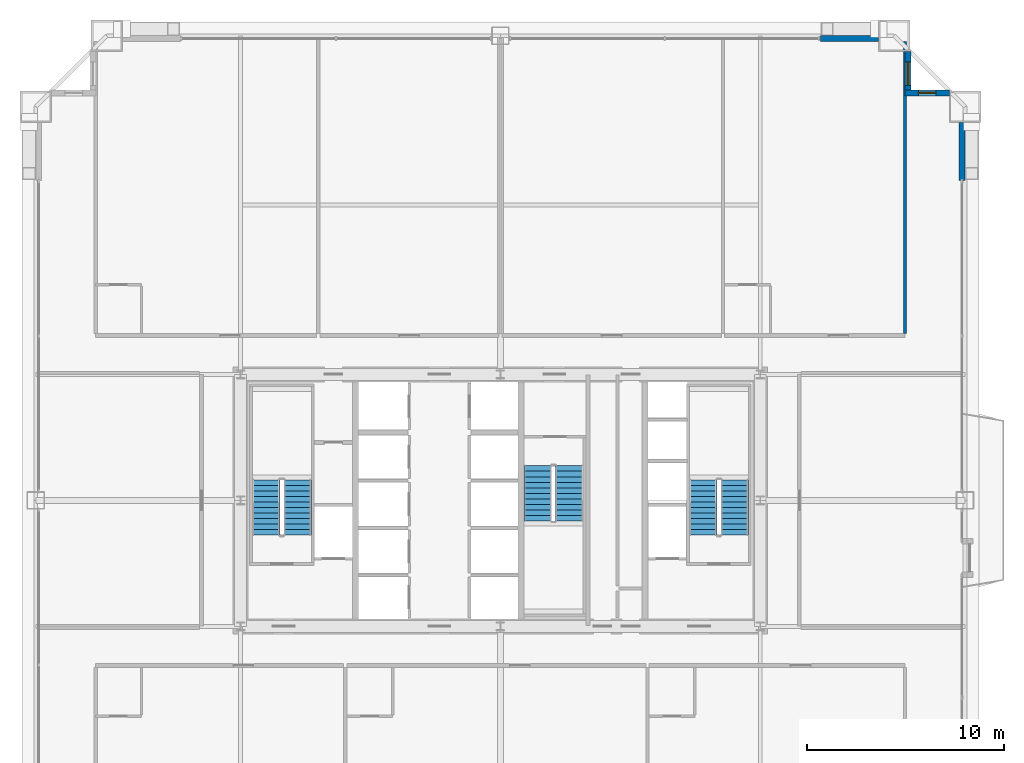
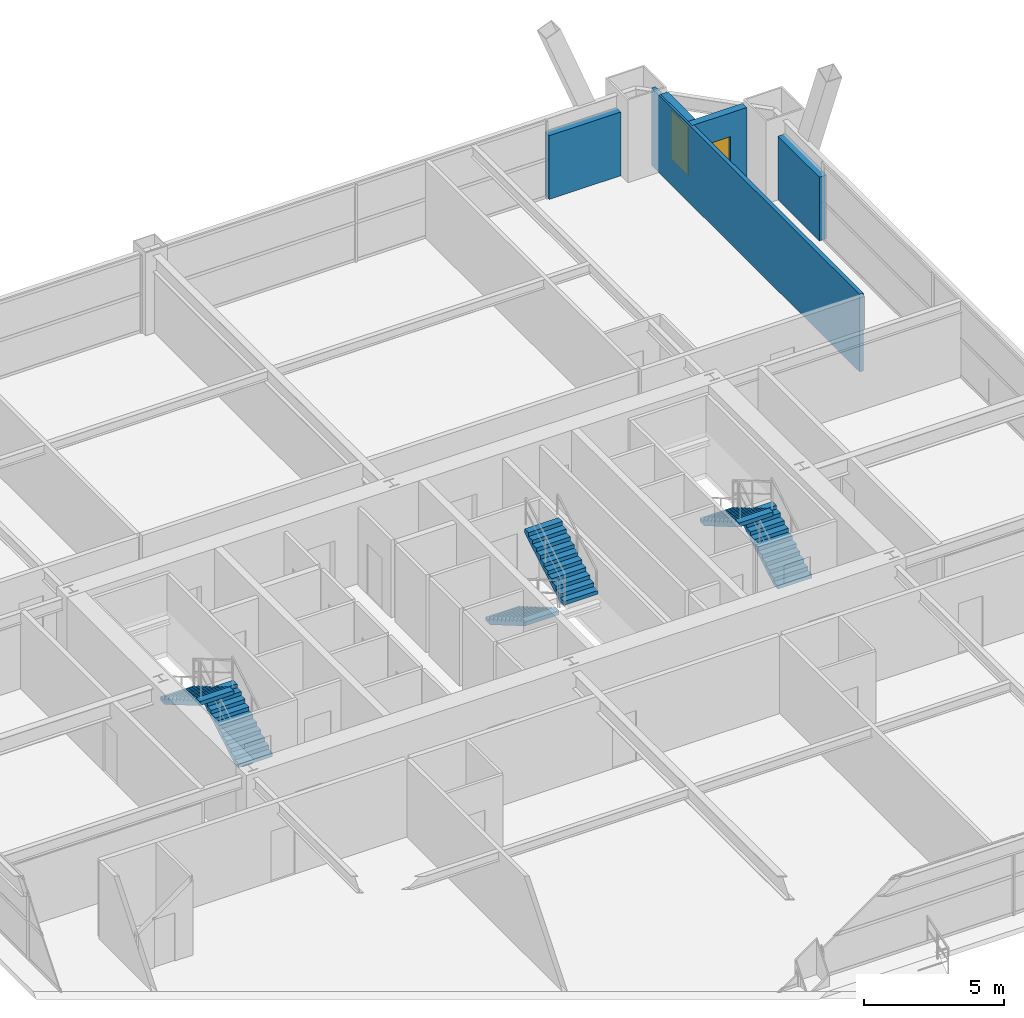
# One storey, part 42 of 43: 6 stair flights, 5 walls, 2 windows, 2 openings, 3 elements without a shape of their own.
"""IFC4 building model written with IfcOpenShell, lengths in metres."""

from ifc_helpers import new_model, si_unit, direction, frame, frame_2d, origin, place, context, subcontext, project, spatial, polyline, rectangle, outline, extrude, source, transform, mapped, material, layer, layer_set, type_object, element, fill, aggregate, save


model = new_model("IFC4")

# Units and contexts
model_context = context("Model", 3, precision=1e-05, world=origin(), true_north=direction((0.0, 1.0)))
body_context = subcontext(model_context, "Body", "Model", "MODEL_VIEW")
ifc_project = project(units=[si_unit("LENGTHUNIT", "METRE"), si_unit("AREAUNIT", "SQUARE_METRE"), si_unit("VOLUMEUNIT", "CUBIC_METRE"), si_unit("PLANEANGLEUNIT", "RADIAN"), si_unit("MASSUNIT", "GRAM", prefix="KILO"), si_unit("THERMODYNAMICTEMPERATUREUNIT", "KELVIN"), si_unit("POWERUNIT", "WATT")], contexts=[model_context])

# Site, building, storey
site_placement = place(None, origin())
site = spatial("IfcSite", under=ifc_project, at=site_placement, CompositionType="ELEMENT")
building_placement = place(site_placement, origin())
building = spatial("IfcBuilding", under=site, at=building_placement, Name="Yuzanri Waterfront Tower", CompositionType="ELEMENT")
storey_placement = place(building_placement, frame((0.0, 0.0, 101.0)))
storey = spatial("IfcBuildingStorey", under=building, at=storey_placement, Name="L26", CompositionType="ELEMENT", Elevation=101.0)

# Wall, opening, window
ifc_material_1 = material(Name="Honed Chongqing Dark Basalt Stone", Category="masonry")
ifc_layer_1 = layer(ifc_material_1, 0.300048828125)
ifc_layer_set_1 = layer_set([ifc_layer_1], Name="Honed Chongqing Dark Basalt Stone")
wall_type_1 = type_object("IfcWallType", Name="Bronze Rainscreen Insulated Spandrel Portal Wall 300", PredefinedType="SOLIDWALL", material=ifc_layer_set_1)
wall_1_placement = place(storey_placement, frame((59.800048828125, 46.5, 0.0), z_axis=(0.0, 0.0, 1.0), x_axis=(-1.0, 0.0, 0.0)))
wall_1 = element("IfcWall", 1, at=wall_1_placement, inside=storey, type_object=wall_type_1, Name="L26 Notched Corner Masonry Wall NE-X", PredefinedType="SOLIDWALL", context=body_context, shape_type="SweptSolid", body=[
    extrude(rectangle(XDim=2.25, YDim=0.300048828125, at=frame_2d((1.125, 0.0))), origin(), (0.0, 0.0, 1.0), 3.3798828125),
])
opening_1_placement = place(wall_1_placement, frame((0.675048828125, 0.0, 0.85009765625)))
opening_1 = element("IfcOpeningElement", 2, at=opening_1_placement, cuts=wall_1, Name="Opening WN-05", PredefinedType="OPENING", context=body_context, shape_type="SweptSolid", body=[
    extrude(rectangle(XDim=0.89990234375, YDim=1.5, at=frame_2d((0.449951171875, 0.75))), frame((0.0, 0.1650390625, 0.0), z_axis=(0.0, -1.0, 0.0), x_axis=(1.0, 0.0, 0.0)), (0.0, 0.0, 1.0), 0.329833984375),
])
ifc_material_2 = material(Name="Double-Silver Low-E Insulated Glass", Category="glass")
window_type_1 = type_object("IfcWindowType", Name="Anodized Bronze Service and Stairwell Smoke-Vent Window 900x1500", PartitioningType="SINGLE_PANEL", PredefinedType="WINDOW", material=ifc_material_2)
shared_shape_1 = source(origin(), body_context, "Body", "SweptSolid", [
    extrude(rectangle(XDim=0.89990234375, YDim=1.5, at=frame_2d((0.449951171875, 0.75))), frame((0.0, 0.030029296875, 0.0), z_axis=(0.0, -1.0, 0.0), x_axis=(1.0, 0.0, 0.0)), (0.0, 0.0, 1.0), 0.06005859375),
])
window_1_placement = place(opening_1_placement, origin())
window_1 = element("IfcWindow", 3, at=window_1_placement, inside=storey, type_object=window_type_1, Name="L26 Notched Corner Window NE-X", OverallHeight=1.5, OverallWidth=0.89990234375, PartitioningType="SINGLE_PANEL", PredefinedType="WINDOW", context=body_context, shape_type="MappedRepresentation", body=[
    mapped(shared_shape_1, transform((0.0, 0.0, 0.0), scale=1.0)),
])
fill(opening_1, window_1)

wall_2_placement = place(storey_placement, frame((57.699951171875, 46.35009765625, 0.0), z_axis=(0.0, 0.0, 1.0), x_axis=(0.0, 1.0, 0.0)))
wall_2 = element("IfcWall", 4, at=wall_2_placement, inside=storey, type_object=wall_type_1, Name="L26 Notched Corner Masonry Wall NE-Y", PredefinedType="SOLIDWALL", context=body_context, shape_type="SweptSolid", body=[
    extrude(rectangle(XDim=2.25, YDim=0.300048828125, at=frame_2d((1.125, 0.0))), origin(), (0.0, 0.0, 1.0), 3.3798828125),
])
opening_2_placement = place(wall_2_placement, frame((0.52490234375, 0.0, 0.85009765625)))
opening_2 = element("IfcOpeningElement", 5, at=opening_2_placement, cuts=wall_2, Name="Opening WN-02", PredefinedType="OPENING", context=body_context, shape_type="SweptSolid", body=[
    extrude(rectangle(XDim=1.199951171875, YDim=2.10009765625, at=frame_2d((0.60009765625, 1.050048828125))), frame((0.0, 0.1650390625, 0.0), z_axis=(0.0, -1.0, 0.0), x_axis=(1.0, 0.0, 0.0)), (0.0, 0.0, 1.0), 0.329833984375),
])
ifc_material_3 = material(Name="Double-Silver Low-E Insulated Glass", Category="glass")
window_type_2 = type_object("IfcWindowType", Name="Anodized Bronze Notched Corner Deep-Set Slot Window 1200x2100", PartitioningType="SINGLE_PANEL", PredefinedType="WINDOW", material=ifc_material_3)
shared_shape_2 = source(origin(), body_context, "Body", "SweptSolid", [
    extrude(rectangle(XDim=1.199951171875, YDim=2.10009765625, at=frame_2d((0.60009765625, 1.050048828125))), frame((0.0, 0.030029296875, 0.0), z_axis=(0.0, -1.0, 0.0), x_axis=(1.0, 0.0, 0.0)), (0.0, 0.0, 1.0), 0.06005859375),
])
window_2_placement = place(opening_2_placement, origin())
window_2 = element("IfcWindow", 6, at=window_2_placement, inside=storey, type_object=window_type_2, Name="L26 Notched Corner Window NE-Y", OverallHeight=2.10009765625, OverallWidth=1.199951171875, PartitioningType="SINGLE_PANEL", PredefinedType="WINDOW", context=body_context, shape_type="MappedRepresentation", body=[
    mapped(shared_shape_2, transform((0.0, 0.0, 0.0), scale=1.0)),
])
fill(opening_2, window_2)

# Walls
shared_shape_3 = source(origin(), body_context, "Body", "SweptSolid", [
    extrude(rectangle(XDim=2.949951171875, YDim=0.300048828125, at=frame_2d((1.47509765625, 0.0))), origin(), (0.0, 0.0, 1.0), 2.77490234375),
])
for number, where, z_axis, x_axis, name in (
    (7, (53.25, 49.25, 0.0), (0.0, 0.0, 1.0), (1.0, 0.0, 0.0), "L26 N Right Braced Masonry Shoulder"),
    (8, (60.449951171875, 42.050048828125, 0.0), (0.0, 0.0, 1.0), (0.0, 1.0, 0.0), "L26 E Right Braced Masonry Shoulder"),
):
    element("IfcWall", number, at=place(storey_placement, frame(where, z_axis=z_axis, x_axis=x_axis)), inside=storey, type_object=wall_type_1, Name=name, PredefinedType="SOLIDWALL", context=body_context, shape_type="MappedRepresentation", body=[
        mapped(shared_shape_3, transform((0.0, 0.0, 0.0), scale=1.0)),
    ])
ifc_material_4 = material(Name="Gypsum Fireboard Acoustic Stud Wall", Category="gypsum")
ifc_layer_2 = layer(ifc_material_4, 0.159912109375)
ifc_layer_set_2 = layer_set([ifc_layer_2], Name="Gypsum Fireboard Acoustic Stud Wall")
wall_type_2 = type_object("IfcWallType", Name="Acoustic Suite Demising Partition 160", PredefinedType="PARTITIONING", material=ifc_layer_set_2)
shared_shape_4 = source(origin(), body_context, "Body", "SweptSolid", [
    extrude(rectangle(XDim=14.820068359375, YDim=0.159912109375, at=frame_2d((7.41015625, 0.0))), origin(), (0.0, 0.0, 1.0), 3.3798828125),
])
wall_3_placement = place(storey_placement, frame((57.550048828125, 34.280029296875, 0.0), z_axis=(0.0, 0.0, 1.0), x_axis=(0.0, 1.0, 0.0)))
element("IfcWall", 9, at=wall_3_placement, inside=storey, type_object=wall_type_2, Name="L26 North Band East End Wall", PredefinedType="PARTITIONING", context=body_context, shape_type="MappedRepresentation", body=[
    mapped(shared_shape_4, transform((0.0, 0.0, 0.0), scale=1.0)),
])

# Stair, stair flights
ifc_material_5 = material(Name="Concrete C40", Category="concrete")
stair_type = type_object("IfcStairType", Name="Concrete C40 Core Dogleg Exit Stair", PredefinedType="HALF_TURN_STAIR", material=ifc_material_5)
stair_1_placement = place(storey_placement, origin())
stair_1 = element("IfcStair", 10, at=stair_1_placement, inside=storey, type_object=stair_type, Name="L26 Smoke-Proof Core Stair ST-01", PredefinedType="HALF_TURN_STAIR")
ifc_material_6 = material(Name="Concrete C40", Category="concrete")
stair_flight_type = type_object("IfcStairFlightType", Name="Concrete C40 Precast Stair Flight 1380", PredefinedType="STRAIGHT", material=ifc_material_6)
shared_shape_5 = source(origin(), body_context, "Body", "SweptSolid", [
    extrude(outline(polyline([(0.0, 0.0), (0.0, 0.16357421875), (0.280029296875, 0.16357421875), (0.280029296875, 0.327392578125), (0.56005859375, 0.327392578125), (0.56005859375, 0.490966796875), (0.840087890625, 0.490966796875), (0.840087890625, 0.654541015625), (1.1201171875, 0.654541015625), (1.1201171875, 0.818115234375), (1.39990234375, 0.818115234375), (1.39990234375, 0.98193359375), (1.679931640625, 0.98193359375), (1.679931640625, 1.1455078125), (1.9599609375, 1.1455078125), (1.9599609375, 1.30908203125), (2.239990234375, 1.30908203125), (2.239990234375, 1.47265625), (2.52001953125, 1.47265625), (2.52001953125, 1.636474609375), (2.800048828125, 1.636474609375), (2.800048828125, 1.800048828125), (2.800048828125, 1.462646484375), (0.297119140625, 0.0), (0.0, 0.0)])), frame((0.0, 0.699951171875, 0.0), z_axis=(0.0, -1.0, 0.0), x_axis=(1.0, 0.0, 0.0)), (0.0, 0.0, 1.0), 1.39990234375),
])
stair_flight_1_placement = place(storey_placement, frame((26.699951171875, 24.0400390625, 0.0), z_axis=(0.0, 0.0, 1.0), x_axis=(0.0, 1.0, 0.0)))
stair_flight_1 = element("IfcStairFlight", 11, at=stair_flight_1_placement, type_object=stair_flight_type, Name="ST-01 flight 1", NumberOfRisers=11, NumberOfTreads=10, PredefinedType="STRAIGHT", RiserHeight=0.163636364, TreadLength=0.28, context=body_context, shape_type="MappedRepresentation", body=[
    mapped(shared_shape_5, transform((0.0, 0.0, 0.0), scale=1.0)),
])
stair_flight_2_placement = place(storey_placement, frame((25.10009765625, 26.840087890625, 1.800048828125), z_axis=(0.0, 0.0, 1.0), x_axis=(0.0, -1.0, 0.0)))
stair_flight_2 = element("IfcStairFlight", 12, at=stair_flight_2_placement, type_object=stair_flight_type, Name="ST-01 flight 2", NumberOfRisers=11, NumberOfTreads=10, PredefinedType="STRAIGHT", RiserHeight=0.163636364, TreadLength=0.28, context=body_context, shape_type="MappedRepresentation", body=[
    mapped(shared_shape_5, transform((0.0, 0.0, 0.0), scale=1.0)),
])
aggregate(stair_1, [stair_flight_1, stair_flight_2])

stair_2_placement = place(storey_placement, origin())
stair_2 = element("IfcStair", 13, at=stair_2_placement, inside=storey, type_object=stair_type, Name="L26 Smoke-Proof Core Stair ST-02", PredefinedType="HALF_TURN_STAIR")
stair_flight_3_placement = place(storey_placement, frame((48.89990234375, 24.0400390625, 0.0), z_axis=(0.0, 0.0, 1.0), x_axis=(0.0, 1.0, 0.0)))
stair_flight_3 = element("IfcStairFlight", 14, at=stair_flight_3_placement, type_object=stair_flight_type, Name="ST-02 flight 1", NumberOfRisers=11, NumberOfTreads=10, PredefinedType="STRAIGHT", RiserHeight=0.163636364, TreadLength=0.28, context=body_context, shape_type="MappedRepresentation", body=[
    mapped(shared_shape_5, transform((0.0, 0.0, 0.0), scale=1.0)),
])
stair_flight_4_placement = place(storey_placement, frame((47.300048828125, 26.840087890625, 1.800048828125), z_axis=(0.0, 0.0, 1.0), x_axis=(0.0, -1.0, 0.0)))
stair_flight_4 = element("IfcStairFlight", 15, at=stair_flight_4_placement, type_object=stair_flight_type, Name="ST-02 flight 2", NumberOfRisers=11, NumberOfTreads=10, PredefinedType="STRAIGHT", RiserHeight=0.163636364, TreadLength=0.28, context=body_context, shape_type="MappedRepresentation", body=[
    mapped(shared_shape_5, transform((0.0, 0.0, 0.0), scale=1.0)),
])
aggregate(stair_2, [stair_flight_3, stair_flight_4])

stair_3_placement = place(storey_placement, origin())
stair_3 = element("IfcStair", 16, at=stair_3_placement, inside=storey, type_object=stair_type, Name="L26 Smoke-Proof Core Stair ST-03", PredefinedType="HALF_TURN_STAIR")
stair_flight_5_placement = place(storey_placement, frame((38.89990234375, 27.56005859375, 0.0), z_axis=(0.0, 0.0, 1.0), x_axis=(0.0, -1.0, 0.0)))
stair_flight_5 = element("IfcStairFlight", 17, at=stair_flight_5_placement, type_object=stair_flight_type, Name="ST-03 flight 1", NumberOfRisers=11, NumberOfTreads=10, PredefinedType="STRAIGHT", RiserHeight=0.163636364, TreadLength=0.28, context=body_context, shape_type="MappedRepresentation", body=[
    mapped(shared_shape_5, transform((0.0, 0.0, 0.0), scale=1.0)),
])
stair_flight_6_placement = place(storey_placement, frame((40.5, 24.760009765625, 1.800048828125), z_axis=(0.0, 0.0, 1.0), x_axis=(0.0, 1.0, 0.0)))
stair_flight_6 = element("IfcStairFlight", 18, at=stair_flight_6_placement, type_object=stair_flight_type, Name="ST-03 flight 2", NumberOfRisers=11, NumberOfTreads=10, PredefinedType="STRAIGHT", RiserHeight=0.163636364, TreadLength=0.28, context=body_context, shape_type="MappedRepresentation", body=[
    mapped(shared_shape_5, transform((0.0, 0.0, 0.0), scale=1.0)),
])
aggregate(stair_3, [stair_flight_5, stair_flight_6])

save(model, "model.ifc")
